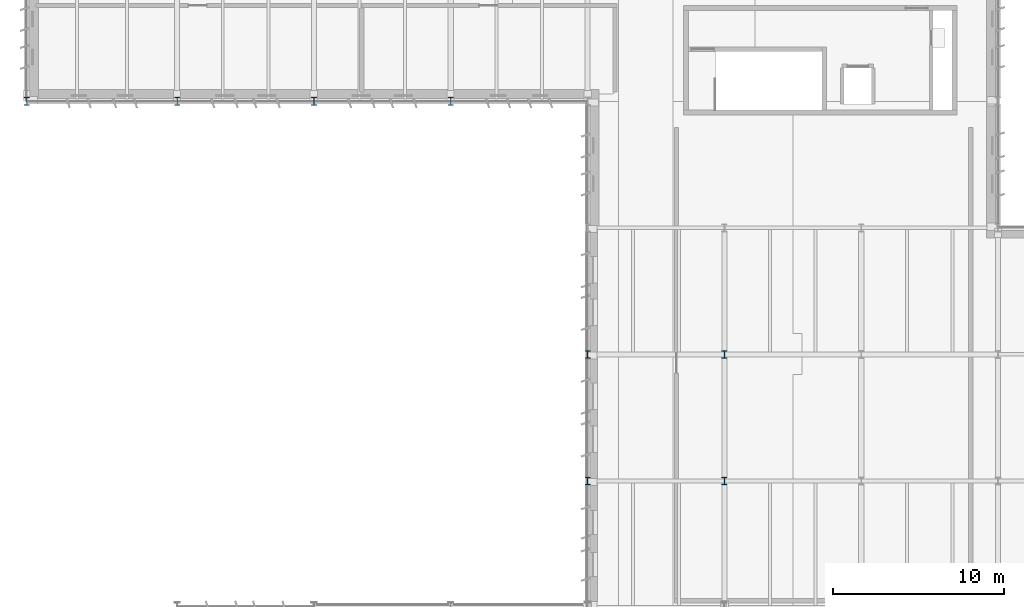
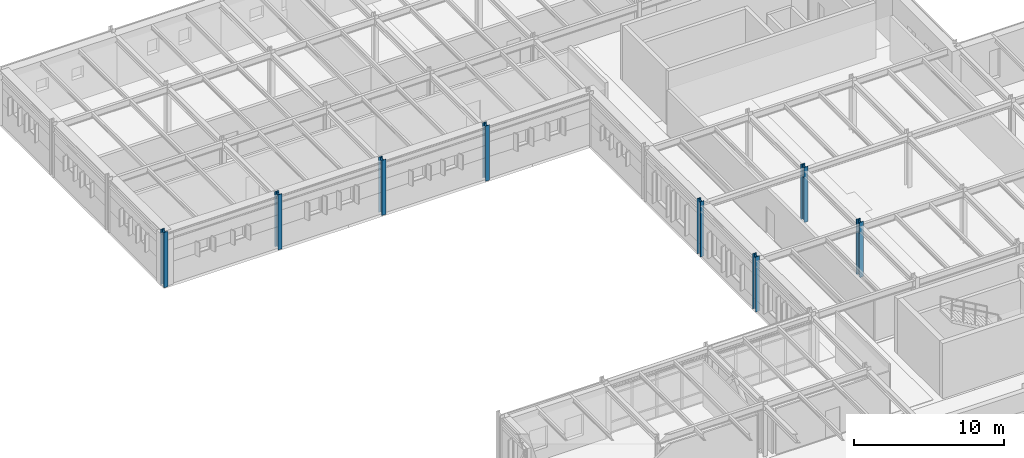
# One storey, part 7 of 75: 8 columns.
"""IFC4 building model written with IfcOpenShell, lengths in metres."""

from ifc_helpers import new_model, si_unit, direction, frame, origin, origin_2d, place, context, subcontext, project, spatial, i_section, extrude, material, material_profile, profile_set, type_object, element, save


model = new_model("IFC4")

# Units and contexts
model_context = context("Model", 3, precision=1e-05, world=origin(), true_north=direction((0.0, 1.0)))
body_context = subcontext(model_context, "Body", "Model", "MODEL_VIEW")
ifc_project = project(units=[si_unit("LENGTHUNIT", "METRE"), si_unit("AREAUNIT", "SQUARE_METRE"), si_unit("VOLUMEUNIT", "CUBIC_METRE"), si_unit("PLANEANGLEUNIT", "RADIAN"), si_unit("MASSUNIT", "GRAM", prefix="KILO")], contexts=[model_context])

# Site, building, storey
site_placement = place(None, origin())
site = spatial("IfcSite", under=ifc_project, at=site_placement, CompositionType="ELEMENT")
building_placement = place(site_placement, origin())
building = spatial("IfcBuilding", under=site, at=building_placement, Name="Valkorina Park Police Headquarters", CompositionType="ELEMENT")
storey_placement = place(building_placement, frame((0.0, 0.0, 5.39990234375)))
storey = spatial("IfcBuildingStorey", under=building, at=storey_placement, Name="L02", CompositionType="ELEMENT", Elevation=5.39990234375)

# Columns
ifc_material = material(Name="Steel S355", Category="steel")
ifc_material_profile_1 = material_profile(ifc_material, i_section(OverallWidth=0.300048828125, OverallDepth=0.449951171875, WebThickness=0.013916015625, FlangeThickness=0.02587890625, FilletRadius=0.027099609375, at=origin_2d()), Name="HEB 450")
ifc_profile_set_1 = profile_set([ifc_material_profile_1], Name="Steel S355")
column_type_1 = type_object("IfcColumnType", Name="COL-S355-HEB450-EXT", PredefinedType="COLUMN", material=ifc_profile_set_1)
for number, where, z_axis, x_axis, name in (
    (1, (0.0, 88.800048828125, 0.0), (0.0, 0.0, 1.0), (1.0, 0.0, 0.0), "L02 Column 0502"),
    (2, (8.800048828125, 88.800048828125, 0.0), (0.0, 0.0, 1.0), (1.0, 0.0, 0.0), "L02 Column 0515"),
    (3, (16.800048828125, 88.800048828125, 0.0), (0.0, 0.0, 1.0), (1.0, 0.0, 0.0), "L02 Column 0528"),
    (4, (24.800048828125, 88.800048828125, 0.0), (0.0, 0.0, 1.0), (1.0, 0.0, 0.0), "L02 Column 0541"),
    (5, (32.800048828125, 66.60009765625, 0.0), (0.0, 0.0, 1.0), (1.0, 0.0, 0.0), "L02 Column 0551"),
    (6, (32.800048828125, 74.0, 0.0), (0.0, 0.0, 1.0), (1.0, 0.0, 0.0), "L02 Column 0552"),
):
    element("IfcColumn", number, at=place(storey_placement, frame(where, z_axis=z_axis, x_axis=x_axis)), inside=storey, type_object=column_type_1, Name=name, PredefinedType="COLUMN", context=body_context, shape_type="SweptSolid", body=[
        extrude(i_section(OverallWidth=0.300048828125, OverallDepth=0.449951171875, WebThickness=0.013916015625, FlangeThickness=0.02587890625, FilletRadius=0.027099609375, at=origin_2d()), origin(), (0.0, 0.0, 1.0), 4.5),
    ])
ifc_material_profile_2 = material_profile(ifc_material, i_section(OverallWidth=0.300048828125, OverallDepth=0.449951171875, WebThickness=0.013916015625, FlangeThickness=0.02587890625, FilletRadius=0.027099609375, at=origin_2d()), Name="HEB 450")
ifc_profile_set_2 = profile_set([ifc_material_profile_2], Name="Steel S355")
column_type_2 = type_object("IfcColumnType", Name="COL-S355-HEB450-INT", PredefinedType="COLUMN", material=ifc_profile_set_2)
for number, where, z_axis, x_axis, name in (
    (7, (40.800048828125, 66.60009765625, 0.0), (0.0, 0.0, 1.0), (1.0, 0.0, 0.0), "L02 Column 0563"),
    (8, (40.800048828125, 74.0, 0.0), (0.0, 0.0, 1.0), (1.0, 0.0, 0.0), "L02 Column 0564"),
):
    element("IfcColumn", number, at=place(storey_placement, frame(where, z_axis=z_axis, x_axis=x_axis)), inside=storey, type_object=column_type_2, Name=name, PredefinedType="COLUMN", context=body_context, shape_type="SweptSolid", body=[
        extrude(i_section(OverallWidth=0.300048828125, OverallDepth=0.449951171875, WebThickness=0.013916015625, FlangeThickness=0.02587890625, FilletRadius=0.027099609375, at=origin_2d()), origin(), (0.0, 0.0, 1.0), 4.5),
    ])

save(model, "model.ifc")
